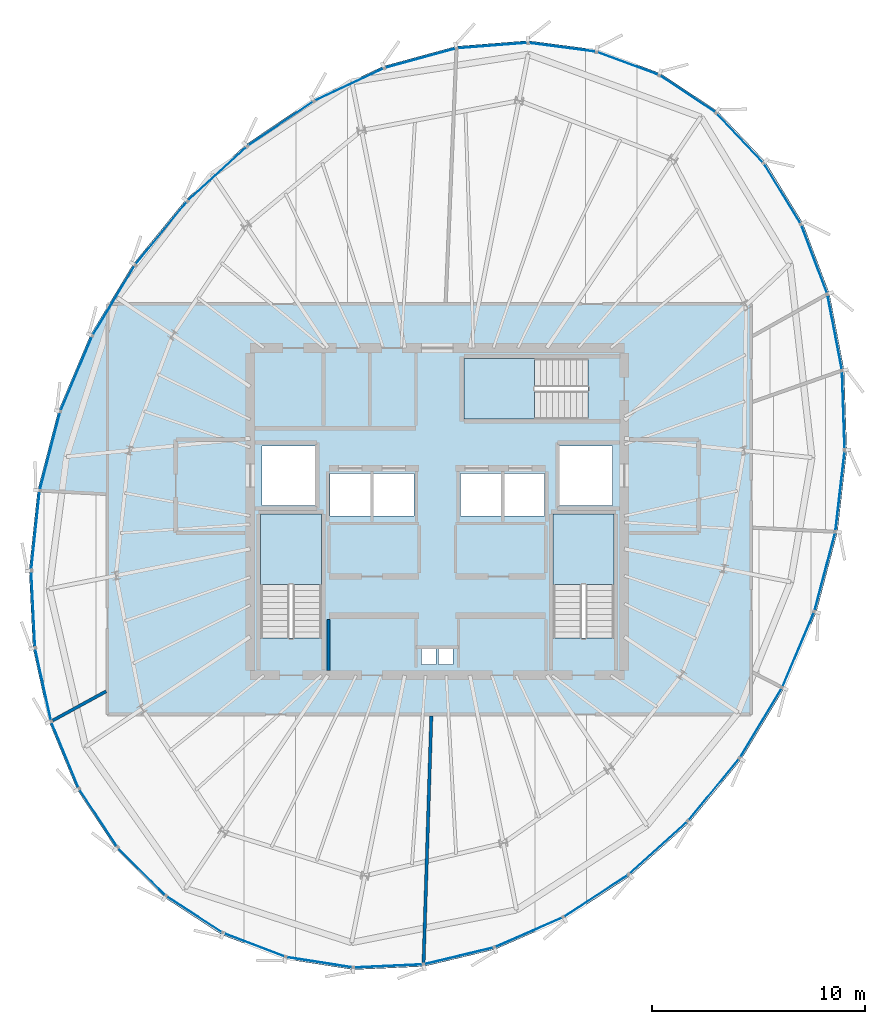
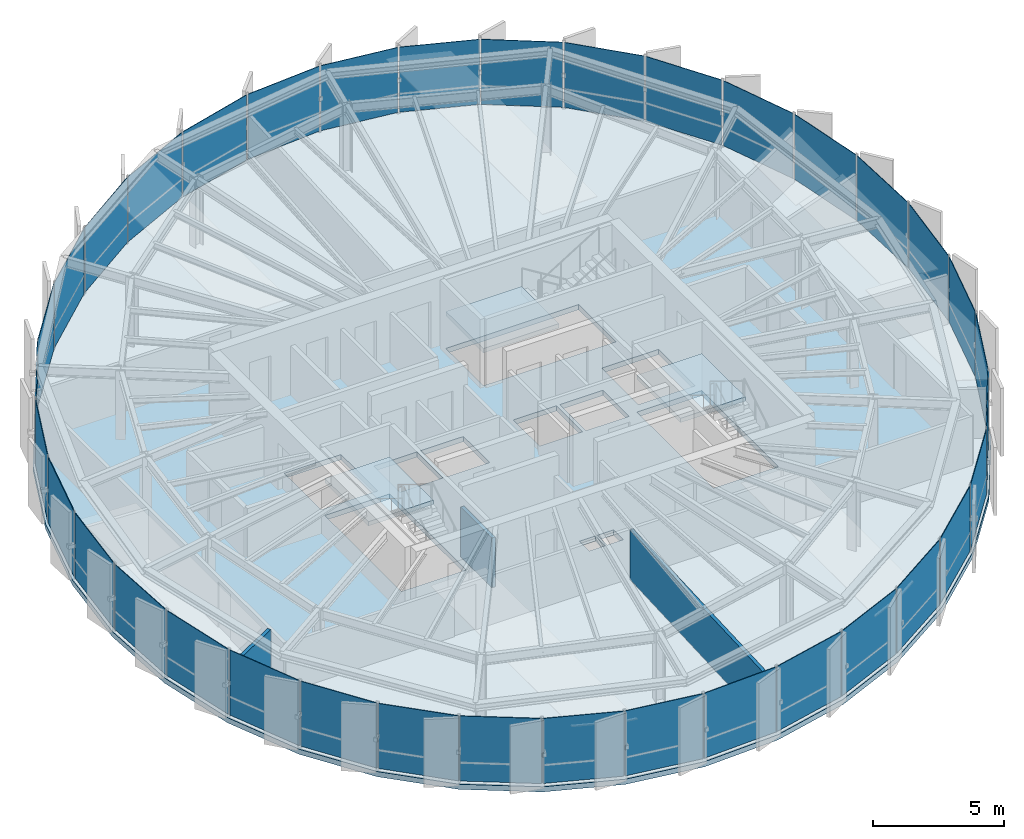
# One storey, part 24 of 31: 36 plates, 4 slabs, 3 walls, 9 elements without a shape of their own.
"""IFC4 building model written with IfcOpenShell, lengths in metres."""

from ifc_helpers import new_model, si_unit, direction, frame, frame_2d, origin, origin_2d, place, context, subcontext, project, spatial, polyline, rectangle, outline, extrude, source, transform, mapped, material, layer, layer_set, type_object, element, aggregate, save


model = new_model("IFC4")

# Units and contexts
model_context = context("Model", 3, precision=1e-05, world=origin(), true_north=direction((0.0, 1.0)))
body_context = subcontext(model_context, "Body", "Model", "MODEL_VIEW")
ifc_project = project(units=[si_unit("LENGTHUNIT", "METRE"), si_unit("AREAUNIT", "SQUARE_METRE"), si_unit("VOLUMEUNIT", "CUBIC_METRE"), si_unit("PLANEANGLEUNIT", "RADIAN"), si_unit("MASSUNIT", "GRAM", prefix="KILO"), si_unit("THERMODYNAMICTEMPERATUREUNIT", "KELVIN")], contexts=[model_context])

# Site, building, storey
site_placement = place(None, origin())
site = spatial("IfcSite", under=ifc_project, at=site_placement, CompositionType="ELEMENT")
building_placement = place(site_placement, origin())
building = spatial("IfcBuilding", under=site, at=building_placement, Name="Kethvar Cultural Tower", CompositionType="ELEMENT")
storey_placement = place(building_placement, frame((0.0, 0.0, 287.050048828125)))
storey = spatial("IfcBuildingStorey", under=building, at=storey_placement, Name="L76", CompositionType="ELEMENT", Elevation=287.050048828125)

# Stair, slab
ifc_material_1 = material(Name="Concrete C40/50", Category="concrete")
stair_type = type_object("IfcStairType", Name="ST-DOGLEG-135", PredefinedType="HALF_TURN_STAIR", material=ifc_material_1)
stair_1_placement = place(storey_placement, origin())
stair_1 = element("IfcStair", 1, at=stair_1_placement, inside=storey, type_object=stair_type, Name="L76 Core Exit Stair 1", PredefinedType="HALF_TURN_STAIR")
ifc_layer_1 = layer(ifc_material_1, 0.199951171875, Name="Concrete C40/50", Category="concrete")
ifc_layer_set_1 = layer_set([ifc_layer_1], Name="Concrete C40/50 (200 mm)")
slab_type_1 = type_object("IfcSlabType", Name="SL-STAIR-LANDING-200", PredefinedType="LANDING", material=ifc_layer_set_1)
slab_1_placement = place(storey_placement, frame((0.0, 0.0, 1.52490234375)))
slab_1 = element("IfcSlab", 2, at=slab_1_placement, type_object=slab_type_1, Name="ST-01 landing 1", PredefinedType="LANDING", context=body_context, shape_type="SweptSolid", body=[
    extrude(outline(polyline([(41.35009765625, 24.3701171875), (41.35009765625, 27.699951171875), (38.489990234375, 27.699951171875), (38.489990234375, 24.3701171875), (41.35009765625, 24.3701171875)])), origin(), (0.0, 0.0, 1.0), 0.199951171875),
])
aggregate(stair_1, [slab_1])

stair_2_placement = place(storey_placement, origin())
stair_2 = element("IfcStair", 3, at=stair_2_placement, inside=storey, type_object=stair_type, Name="L76 Core Exit Stair 2", PredefinedType="HALF_TURN_STAIR")
slab_2_placement = place(storey_placement, frame((0.0, 0.0, 1.52490234375)))
slab_2 = element("IfcSlab", 4, at=slab_2_placement, type_object=slab_type_1, Name="ST-02 landing 1", PredefinedType="LANDING", context=body_context, shape_type="SweptSolid", body=[
    extrude(outline(polyline([(55.110107421875, 24.3701171875), (55.110107421875, 27.699951171875), (52.25, 27.699951171875), (52.25, 24.3701171875), (55.110107421875, 24.3701171875)])), origin(), (0.0, 0.0, 1.0), 0.199951171875),
])
aggregate(stair_2, [slab_2])

stair_3_placement = place(storey_placement, origin())
stair_3 = element("IfcStair", 5, at=stair_3_placement, inside=storey, type_object=stair_type, Name="L76 Core Exit Stair 3", PredefinedType="HALF_TURN_STAIR")
slab_3_placement = place(storey_placement, frame((0.0, 0.0, 1.52490234375)))
slab_3 = element("IfcSlab", 6, at=slab_3_placement, type_object=slab_type_1, Name="ST-03 landing 1", PredefinedType="LANDING", context=body_context, shape_type="SweptSolid", body=[
    extrude(outline(polyline([(51.3798828125, 35.010009765625), (48.050048828125, 35.010009765625), (48.050048828125, 32.14990234375), (51.3798828125, 32.14990234375), (51.3798828125, 35.010009765625)])), origin(), (0.0, 0.0, 1.0), 0.199951171875),
])
aggregate(stair_3, [slab_3])

# Slab
ifc_layer_2 = layer(ifc_material_1, 0.239990234375, Name="Concrete C40/50", Category="concrete")
ifc_layer_set_2 = layer_set([ifc_layer_2], Name="Concrete C40/50 (240 mm)")
slab_type_2 = type_object("IfcSlabType", Name="SL-TOW-240", PredefinedType="FLOOR", material=ifc_layer_set_2)
slab_4_placement = place(storey_placement, frame((0.0, 0.0, -0.239990234375)))
element("IfcSlab", 7, at=slab_4_placement, inside=storey, type_object=slab_type_2, Name="L76 Structural Floor Slab", PredefinedType="FLOOR", context=body_context, shape_type="SweptSolid", body=[
    extrude(outline(polyline([(57.304931640625, 48.417236328125), (54.3037109375, 49.53173828125), (51.060302734375, 49.957763671875), (47.677978515625, 49.692138671875), (44.26708984375, 48.7578125), (40.939697265625, 47.19921875), (37.80419921875, 45.078369140625), (34.96044921875, 42.468994140625), (32.49658203125, 39.452880859375), (30.48291015625, 36.114013671875), (28.9697265625, 32.53125), (27.998291015625, 28.804931640625), (27.59814453125, 25.0478515625), (27.781494140625, 21.37451171875), (28.54248046875, 17.896484375), (29.8583984375, 14.71923828125), (31.689208984375, 11.939697265625), (33.97900390625, 9.6416015625), (36.658203125, 7.8955078125), (39.645751953125, 6.75439453125), (42.8505859375, 6.25244140625), (46.175537109375, 6.4052734375), (49.519287109375, 7.208251953125), (52.780517578125, 8.636962890625), (55.860107421875, 10.647705078125), (58.664306640625, 13.1796875), (61.108154296875, 16.156005859375), (63.1171875, 19.486083984375), (64.635009765625, 23.07763671875), (65.626708984375, 26.843994140625), (66.066162109375, 30.677978515625), (65.93896484375, 34.46142578125), (65.243896484375, 38.069580078125), (63.9951171875, 41.378173828125), (62.2216796875, 44.2705078125), (59.970703125, 46.644287109375), (57.304931640625, 48.417236328125)]), holes=[polyline([(38.489990234375, 21.85009765625), (38.489990234375, 27.699951171875), (41.35009765625, 27.699951171875), (41.35009765625, 21.85009765625), (38.489990234375, 21.85009765625)]), polyline([(52.25, 21.85009765625), (52.25, 27.699951171875), (55.110107421875, 27.699951171875), (55.110107421875, 21.85009765625), (52.25, 21.85009765625)]), polyline([(53.89990234375, 32.14990234375), (48.050048828125, 32.14990234375), (48.050048828125, 35.010009765625), (53.89990234375, 35.010009765625), (53.89990234375, 32.14990234375)]), polyline([(41.75, 29.60009765625), (43.64990234375, 29.60009765625), (43.64990234375, 27.60009765625), (41.75, 27.60009765625), (41.75, 29.60009765625)]), polyline([(43.800048828125, 29.60009765625), (45.699951171875, 29.60009765625), (45.699951171875, 27.60009765625), (43.800048828125, 27.60009765625), (43.800048828125, 29.60009765625)]), polyline([(47.89990234375, 29.60009765625), (49.800048828125, 29.60009765625), (49.800048828125, 27.60009765625), (47.89990234375, 27.60009765625), (47.89990234375, 29.60009765625)]), polyline([(49.949951171875, 29.60009765625), (51.85009765625, 29.60009765625), (51.85009765625, 27.60009765625), (49.949951171875, 27.60009765625), (49.949951171875, 29.60009765625)]), polyline([(38.550048828125, 30.89990234375), (41.050048828125, 30.89990234375), (41.050048828125, 28.10009765625), (38.550048828125, 28.10009765625), (38.550048828125, 30.89990234375)]), polyline([(52.550048828125, 30.89990234375), (55.050048828125, 30.89990234375), (55.050048828125, 28.10009765625), (52.550048828125, 28.10009765625), (52.550048828125, 30.89990234375)]), polyline([(46.050048828125, 21.35009765625), (46.75, 21.35009765625), (46.75, 20.60009765625), (46.050048828125, 20.60009765625), (46.050048828125, 21.35009765625)]), polyline([(46.85009765625, 21.35009765625), (47.550048828125, 21.35009765625), (47.550048828125, 20.60009765625), (46.85009765625, 20.60009765625), (46.85009765625, 21.35009765625)])]), origin(), (0.0, 0.0, 1.0), 0.239990234375),
])

# Curtain wall, plate
ifc_material_2 = material(Name="Aluminium 6063-T6", Category="aluminium")
ifc_layer_3 = layer(ifc_material_2, 0.179931640625, Name="Aluminium 6063-T6", Category="aluminium")
ifc_layer_set_3 = layer_set([ifc_layer_3], Name="Aluminium 6063-T6 (180 mm)")
curtain_wall_type = type_object("IfcCurtainWallType", Name="CW-SYS-05-Z56", PredefinedType="NOTDEFINED", material=ifc_layer_set_3)
curtain_wall_1_placement = place(storey_placement, origin())
curtain_wall_1 = element("IfcCurtainWall", 8, at=curtain_wall_1_placement, inside=storey, type_object=curtain_wall_type, Name="L76 Curtain Wall Run 03", PredefinedType="NOTDEFINED")
ifc_material_3 = material(Name="Insulated Low-E Solar Glass", Category="glass")
ifc_layer_4 = layer(ifc_material_3, 0.028076171875, Name="Insulated Low-E Solar Glass", Category="glass")
ifc_layer_set_4 = layer_set([ifc_layer_4], Name="Insulated Low-E Solar Glass (28 mm)")
plate_type = type_object("IfcPlateType", Name="CW-SYS-05-Z56-PNL", PredefinedType="CURTAIN_PANEL", material=ifc_layer_set_4)
shared_shape_1 = source(origin(), body_context, "Body", "SweptSolid", [
    extrude(rectangle(XDim=3.481201171875, YDim=0.028076171875, at=origin_2d()), origin(), (0.0, 0.0, 1.0), 3.030029296875),
])
plate_1_placement = place(storey_placement, frame((28.259765625, 19.656982421875, 0.08984375), z_axis=(0.0, 0.0, 1.0), x_axis=(0.213763590688, -0.976885421785, 0.0)))
plate_1 = element("IfcPlate", 9, at=plate_1_placement, type_object=plate_type, Name="CW-L76-R03 Vision Glazing Panel 2", PredefinedType="CURTAIN_PANEL", context=body_context, shape_type="MappedRepresentation", body=[
    mapped(shared_shape_1, transform((0.0, 0.0, 0.0), scale=1.0)),
])

curtain_wall_2_placement = place(storey_placement, origin())
curtain_wall_2 = element("IfcCurtainWall", 10, at=curtain_wall_2_placement, inside=storey, type_object=curtain_wall_type, Name="L76 Curtain Wall Run 04", PredefinedType="NOTDEFINED")
plate_2_placement = place(storey_placement, frame((51.10986328125, 8.01416015625, 0.08984375), z_axis=(0.0, 0.0, 1.0), x_axis=(0.915970997042, 0.401244479811, 0.0)))
plate_2 = element("IfcPlate", 11, at=plate_2_placement, type_object=plate_type, Name="CW-L76-R04 Vision Glazing Panel 5", PredefinedType="CURTAIN_PANEL", context=body_context, shape_type="MappedRepresentation", body=[
    mapped(shared_shape_1, transform((0.0, 0.0, 0.0), scale=1.0)),
])

curtain_wall_3_placement = place(storey_placement, origin())
curtain_wall_3 = element("IfcCurtainWall", 12, at=curtain_wall_3_placement, inside=storey, type_object=curtain_wall_type, Name="L76 Curtain Wall Run 02", PredefinedType="NOTDEFINED")
shared_shape_2 = source(origin(), body_context, "Body", "SweptSolid", [
    extrude(rectangle(XDim=3.771728515625, YDim=0.028076171875, at=origin_2d()), origin(), (0.0, 0.0, 1.0), 3.030029296875),
])
plate_3_placement = place(storey_placement, frame((28.580810546875, 30.642822265625, 0.08984375), z_axis=(0.0, 0.0, 1.0), x_axis=(-0.25225514042, -0.967660758805, 0.0)))
plate_3 = element("IfcPlate", 13, at=plate_3_placement, type_object=plate_type, Name="CW-L76-R02 Vision Glazing Panel 5", PredefinedType="CURTAIN_PANEL", context=body_context, shape_type="MappedRepresentation", body=[
    mapped(shared_shape_2, transform((0.0, 0.0, 0.0), scale=1.0)),
])

curtain_wall_4_placement = place(storey_placement, origin())
curtain_wall_4 = element("IfcCurtainWall", 14, at=curtain_wall_4_placement, inside=storey, type_object=curtain_wall_type, Name="L76 Curtain Wall Run 05", PredefinedType="NOTDEFINED")
plate_4_placement = place(storey_placement, frame((59.808837890625, 14.731201171875, 0.08984375), z_axis=(0.0, 0.0, 1.0), x_axis=(0.634568658341, 0.772866494196, 0.0)))
plate_4 = element("IfcPlate", 15, at=plate_4_placement, type_object=plate_type, Name="CW-L76-R05 Vision Glazing Panel 2", PredefinedType="CURTAIN_PANEL", context=body_context, shape_type="MappedRepresentation", body=[
    mapped(shared_shape_2, transform((0.0, 0.0, 0.0), scale=1.0)),
])

curtain_wall_5_placement = place(storey_placement, origin())
curtain_wall_5 = element("IfcCurtainWall", 16, at=curtain_wall_5_placement, inside=storey, type_object=curtain_wall_type, Name="L76 Curtain Wall Run 01", PredefinedType="NOTDEFINED")
shared_shape_3 = source(origin(), body_context, "Body", "SweptSolid", [
    extrude(rectangle(XDim=3.706298828125, YDim=0.028076171875, at=origin_2d()), origin(), (0.0, 0.0, 1.0), 3.030029296875),
])
plate_5_placement = place(storey_placement, frame((39.427978515625, 46.055908203125, 0.08984375), z_axis=(0.0, 0.0, 1.0), x_axis=(-0.828304880698, -0.560277631725, 0.0)))
plate_5 = element("IfcPlate", 17, at=plate_5_placement, type_object=plate_type, Name="CW-L76-R01 Vision Glazing Panel 6", PredefinedType="CURTAIN_PANEL", context=body_context, shape_type="MappedRepresentation", body=[
    mapped(shared_shape_3, transform((0.0, 0.0, 0.0), scale=1.0)),
])

curtain_wall_6_placement = place(storey_placement, origin())
curtain_wall_6 = element("IfcCurtainWall", 18, at=curtain_wall_6_placement, inside=storey, type_object=curtain_wall_type, Name="L76 Curtain Wall Run 06", PredefinedType="NOTDEFINED")
plate_6_placement = place(storey_placement, frame((65.902587890625, 32.56640625, 0.08984375), z_axis=(0.0, 0.0, 1.0), x_axis=(-0.033608711081, 0.999435067695, 0.0)))
plate_6 = element("IfcPlate", 19, at=plate_6_placement, type_object=plate_type, Name="CW-L76-R06 Vision Glazing Panel 1", PredefinedType="CURTAIN_PANEL", context=body_context, shape_type="MappedRepresentation", body=[
    mapped(shared_shape_3, transform((0.0, 0.0, 0.0), scale=1.0)),
])

# Plate
shared_shape_4 = source(origin(), body_context, "Body", "SweptSolid", [
    extrude(rectangle(XDim=3.122314453125, YDim=0.028076171875, at=origin_2d()), origin(), (0.0, 0.0, 1.0), 3.030029296875),
])
plate_7_placement = place(storey_placement, frame((55.76953125, 48.880615234375, 0.08984375), z_axis=(0.0, 0.0, 1.0), x_axis=(-0.937446146124, 0.348130324903, 0.0)))
plate_7 = element("IfcPlate", 20, at=plate_7_placement, type_object=plate_type, Name="CW-L76-R01 Vision Glazing Panel 1", PredefinedType="CURTAIN_PANEL", context=body_context, shape_type="MappedRepresentation", body=[
    mapped(shared_shape_4, transform((0.0, 0.0, 0.0), scale=1.0)),
])

plate_8_placement = place(storey_placement, frame((58.58251953125, 47.447509765625, 0.08984375), z_axis=(0.0, 0.0, 1.0), x_axis=(-0.832660368614, 0.553783992672, 0.0)))
plate_8 = element("IfcPlate", 21, at=plate_8_placement, type_object=plate_type, Name="CW-L76-R06 Vision Glazing Panel 6", PredefinedType="CURTAIN_PANEL", context=body_context, shape_type="MappedRepresentation", body=[
    mapped(shared_shape_4, transform((0.0, 0.0, 0.0), scale=1.0)),
])

shared_shape_5 = source(origin(), body_context, "Body", "SweptSolid", [
    extrude(rectangle(XDim=3.192138671875, YDim=0.028076171875, at=origin_2d()), origin(), (0.0, 0.0, 1.0), 3.030029296875),
])
plate_9_placement = place(storey_placement, frame((52.6689453125, 49.6455078125, 0.08984375), z_axis=(0.0, 0.0, 1.0), x_axis=(-0.99148581846, 0.130214714195, 0.0)))
plate_9 = element("IfcPlate", 22, at=plate_9_placement, type_object=plate_type, Name="CW-L76-R01 Vision Glazing Panel 2", PredefinedType="CURTAIN_PANEL", context=body_context, shape_type="MappedRepresentation", body=[
    mapped(shared_shape_5, transform((0.0, 0.0, 0.0), scale=1.0)),
])

plate_10_placement = place(storey_placement, frame((61.023681640625, 45.388671875, 0.08984375), z_axis=(0.0, 0.0, 1.0), x_axis=(-0.688113994599, 0.725602598146, 0.0)))
plate_10 = element("IfcPlate", 23, at=plate_10_placement, type_object=plate_type, Name="CW-L76-R06 Vision Glazing Panel 5", PredefinedType="CURTAIN_PANEL", context=body_context, shape_type="MappedRepresentation", body=[
    mapped(shared_shape_5, transform((0.0, 0.0, 0.0), scale=1.0)),
])

shared_shape_6 = source(origin(), body_context, "Body", "SweptSolid", [
    extrude(rectangle(XDim=3.3134765625, YDim=0.028076171875, at=origin_2d()), origin(), (0.0, 0.0, 1.0), 3.030029296875),
])
plate_11_placement = place(storey_placement, frame((49.376953125, 49.725341796875, 0.08984375), z_axis=(0.0, 0.0, 1.0), x_axis=(-0.996933744303, -0.07825030013, 0.0)))
plate_11 = element("IfcPlate", 24, at=plate_11_placement, type_object=plate_type, Name="CW-L76-R01 Vision Glazing Panel 3", PredefinedType="CURTAIN_PANEL", context=body_context, shape_type="MappedRepresentation", body=[
    mapped(shared_shape_6, transform((0.0, 0.0, 0.0), scale=1.0)),
])

plate_12_placement = place(storey_placement, frame((63.023193359375, 42.772216796875, 0.08984375), z_axis=(0.0, 0.0, 1.0), x_axis=(-0.522677129793, 0.852530713811, 0.0)))
plate_12 = element("IfcPlate", 25, at=plate_12_placement, type_object=plate_type, Name="CW-L76-R06 Vision Glazing Panel 4", PredefinedType="CURTAIN_PANEL", context=body_context, shape_type="MappedRepresentation", body=[
    mapped(shared_shape_6, transform((0.0, 0.0, 0.0), scale=1.0)),
])

shared_shape_7 = source(origin(), body_context, "Body", "SweptSolid", [
    extrude(rectangle(XDim=3.457275390625, YDim=0.028076171875, at=origin_2d()), origin(), (0.0, 0.0, 1.0), 3.030029296875),
])
plate_13_placement = place(storey_placement, frame((45.9990234375, 49.12841796875, 0.08984375), z_axis=(0.0, 0.0, 1.0), x_axis=(-0.964465250625, -0.264209727938, 0.0)))
plate_13 = element("IfcPlate", 26, at=plate_13_placement, type_object=plate_type, Name="CW-L76-R01 Vision Glazing Panel 4", PredefinedType="CURTAIN_PANEL", context=body_context, shape_type="MappedRepresentation", body=[
    mapped(shared_shape_7, transform((0.0, 0.0, 0.0), scale=1.0)),
])

plate_14_placement = place(storey_placement, frame((64.52587890625, 39.6884765625, 0.08984375), z_axis=(0.0, 0.0, 1.0), x_axis=(-0.353148290685, 0.935567359834, 0.0)))
plate_14 = element("IfcPlate", 27, at=plate_14_placement, type_object=plate_type, Name="CW-L76-R06 Vision Glazing Panel 3", PredefinedType="CURTAIN_PANEL", context=body_context, shape_type="MappedRepresentation", body=[
    mapped(shared_shape_7, transform((0.0, 0.0, 0.0), scale=1.0)),
])

shared_shape_8 = source(origin(), body_context, "Body", "SweptSolid", [
    extrude(rectangle(XDim=3.59521484375, YDim=0.028076171875, at=origin_2d()), origin(), (0.0, 0.0, 1.0), 3.030029296875),
])
plate_15_placement = place(storey_placement, frame((42.64599609375, 47.887939453125, 0.08984375), z_axis=(0.0, 0.0, 1.0), x_axis=(-0.9055910088, -0.424152006692, 0.0)))
plate_15 = element("IfcPlate", 28, at=plate_15_placement, type_object=plate_type, Name="CW-L76-R01 Vision Glazing Panel 5", PredefinedType="CURTAIN_PANEL", context=body_context, shape_type="MappedRepresentation", body=[
    mapped(shared_shape_8, transform((0.0, 0.0, 0.0), scale=1.0)),
])

aggregate(curtain_wall_5, [plate_7, plate_9, plate_11, plate_13, plate_15, plate_5])

plate_16_placement = place(storey_placement, frame((65.493408203125, 36.24658203125, 0.08984375), z_axis=(0.0, 0.0, 1.0), x_axis=(-0.189112581374, 0.981955412209, 0.0)))
plate_16 = element("IfcPlate", 29, at=plate_16_placement, type_object=plate_type, Name="CW-L76-R06 Vision Glazing Panel 2", PredefinedType="CURTAIN_PANEL", context=body_context, shape_type="MappedRepresentation", body=[
    mapped(shared_shape_8, transform((0.0, 0.0, 0.0), scale=1.0)),
])

aggregate(curtain_wall_6, [plate_6, plate_16, plate_14, plate_12, plate_10, plate_8])

shared_shape_9 = source(origin(), body_context, "Body", "SweptSolid", [
    extrude(rectangle(XDim=3.780029296875, YDim=0.028076171875, at=origin_2d()), origin(), (0.0, 0.0, 1.0), 3.030029296875),
])
plate_17_placement = place(storey_placement, frame((36.449951171875, 43.699951171875, 0.08984375), z_axis=(0.0, 0.0, 1.0), x_axis=(-0.736805506238, -0.676104759618, 0.0)))
plate_17 = element("IfcPlate", 30, at=plate_17_placement, type_object=plate_type, Name="CW-L76-R02 Vision Glazing Panel 1", PredefinedType="CURTAIN_PANEL", context=body_context, shape_type="MappedRepresentation", body=[
    mapped(shared_shape_9, transform((0.0, 0.0, 0.0), scale=1.0)),
])

plate_18_placement = place(storey_placement, frame((65.7470703125, 28.772216796875, 0.08984375), z_axis=(0.0, 0.0, 1.0), x_axis=(0.1138794904, 0.993494570527, 0.0)))
plate_18 = element("IfcPlate", 31, at=plate_18_placement, type_object=plate_type, Name="CW-L76-R05 Vision Glazing Panel 6", PredefinedType="CURTAIN_PANEL", context=body_context, shape_type="MappedRepresentation", body=[
    mapped(shared_shape_9, transform((0.0, 0.0, 0.0), scale=1.0)),
])

shared_shape_10 = source(origin(), body_context, "Body", "SweptSolid", [
    extrude(rectangle(XDim=3.8154296875, YDim=0.028076171875, at=origin_2d()), origin(), (0.0, 0.0, 1.0), 3.030029296875),
])
plate_19_placement = place(storey_placement, frame((33.805908203125, 40.897705078125, 0.08984375), z_axis=(0.0, 0.0, 1.0), x_axis=(-0.632678296774, -0.774414729193, 0.0)))
plate_19 = element("IfcPlate", 32, at=plate_19_placement, type_object=plate_type, Name="CW-L76-R02 Vision Glazing Panel 2", PredefinedType="CURTAIN_PANEL", context=body_context, shape_type="MappedRepresentation", body=[
    mapped(shared_shape_10, transform((0.0, 0.0, 0.0), scale=1.0)),
])

plate_20_placement = place(storey_placement, frame((65.0341796875, 24.986083984375, 0.08984375), z_axis=(0.0, 0.0, 1.0), x_axis=(0.254635704322, 0.96703705104, 0.0)))
plate_20 = element("IfcPlate", 33, at=plate_20_placement, type_object=plate_type, Name="CW-L76-R05 Vision Glazing Panel 5", PredefinedType="CURTAIN_PANEL", context=body_context, shape_type="MappedRepresentation", body=[
    mapped(shared_shape_10, transform((0.0, 0.0, 0.0), scale=1.0)),
])

shared_shape_11 = source(origin(), body_context, "Body", "SweptSolid", [
    extrude(rectangle(XDim=3.81982421875, YDim=0.028076171875, at=origin_2d()), origin(), (0.0, 0.0, 1.0), 3.030029296875),
])
plate_21_placement = place(storey_placement, frame((31.575439453125, 37.73193359375, 0.08984375), z_axis=(0.0, 0.0, 1.0), x_axis=(-0.516413766393, -0.856339197912, 0.0)))
plate_21 = element("IfcPlate", 34, at=plate_21_placement, type_object=plate_type, Name="CW-L76-R02 Vision Glazing Panel 3", PredefinedType="CURTAIN_PANEL", context=body_context, shape_type="MappedRepresentation", body=[
    mapped(shared_shape_11, transform((0.0, 0.0, 0.0), scale=1.0)),
])

plate_22_placement = place(storey_placement, frame((63.783935546875, 21.32080078125, 0.08984375), z_axis=(0.0, 0.0, 1.0), x_axis=(0.389268644804, 0.921124270754, 0.0)))
plate_22 = element("IfcPlate", 35, at=plate_22_placement, type_object=plate_type, Name="CW-L76-R05 Vision Glazing Panel 4", PredefinedType="CURTAIN_PANEL", context=body_context, shape_type="MappedRepresentation", body=[
    mapped(shared_shape_11, transform((0.0, 0.0, 0.0), scale=1.0)),
])

shared_shape_12 = source(origin(), body_context, "Body", "SweptSolid", [
    extrude(rectangle(XDim=3.809814453125, YDim=0.028076171875, at=origin_2d()), origin(), (0.0, 0.0, 1.0), 3.030029296875),
])
plate_23_placement = place(storey_placement, frame((29.818359375, 34.28369140625, 0.08984375), z_axis=(0.0, 0.0, 1.0), x_axis=(-0.389075716452, -0.921205778785, 0.0)))
plate_23 = element("IfcPlate", 36, at=plate_23_placement, type_object=plate_type, Name="CW-L76-R02 Vision Glazing Panel 4", PredefinedType="CURTAIN_PANEL", context=body_context, shape_type="MappedRepresentation", body=[
    mapped(shared_shape_12, transform((0.0, 0.0, 0.0), scale=1.0)),
])

plate_24_placement = place(storey_placement, frame((62.02685546875, 17.872802734375, 0.08984375), z_axis=(0.0, 0.0, 1.0), x_axis=(0.516578162198, 0.856240037805, 0.0)))
plate_24 = element("IfcPlate", 37, at=plate_24_placement, type_object=plate_type, Name="CW-L76-R05 Vision Glazing Panel 3", PredefinedType="CURTAIN_PANEL", context=body_context, shape_type="MappedRepresentation", body=[
    mapped(shared_shape_12, transform((0.0, 0.0, 0.0), scale=1.0)),
])

shared_shape_13 = source(origin(), body_context, "Body", "SweptSolid", [
    extrude(rectangle(XDim=3.698974609375, YDim=0.028076171875, at=origin_2d()), origin(), (0.0, 0.0, 1.0), 3.030029296875),
])
plate_25_placement = place(storey_placement, frame((27.897705078125, 26.915771484375, 0.08984375), z_axis=(0.0, 0.0, 1.0), x_axis=(-0.105916975449, -0.994374976712, 0.0)))
plate_25 = element("IfcPlate", 38, at=plate_25_placement, type_object=plate_type, Name="CW-L76-R02 Vision Glazing Panel 6", PredefinedType="CURTAIN_PANEL", context=body_context, shape_type="MappedRepresentation", body=[
    mapped(shared_shape_13, transform((0.0, 0.0, 0.0), scale=1.0)),
])

aggregate(curtain_wall_3, [plate_17, plate_19, plate_21, plate_23, plate_3, plate_25])

plate_26_placement = place(storey_placement, frame((57.1953125, 11.98779296875, 0.08984375), z_axis=(0.0, 0.0, 1.0), x_axis=(0.742221515323, 0.670154625584, 0.0)))
plate_26 = element("IfcPlate", 39, at=plate_26_placement, type_object=plate_type, Name="CW-L76-R05 Vision Glazing Panel 1", PredefinedType="CURTAIN_PANEL", context=body_context, shape_type="MappedRepresentation", body=[
    mapped(shared_shape_13, transform((0.0, 0.0, 0.0), scale=1.0)),
])

aggregate(curtain_wall_4, [plate_26, plate_4, plate_24, plate_22, plate_20, plate_18])

shared_shape_14 = source(origin(), body_context, "Body", "SweptSolid", [
    extrude(rectangle(XDim=3.5986328125, YDim=0.028076171875, at=origin_2d()), origin(), (0.0, 0.0, 1.0), 3.030029296875),
])
plate_27_placement = place(storey_placement, frame((27.78955078125, 23.21630859375, 0.08984375), z_axis=(0.0, 0.0, 1.0), x_axis=(0.049843395432, -0.998757045498, 0.0)))
plate_27 = element("IfcPlate", 40, at=plate_27_placement, type_object=plate_type, Name="CW-L76-R03 Vision Glazing Panel 1", PredefinedType="CURTAIN_PANEL", context=body_context, shape_type="MappedRepresentation", body=[
    mapped(shared_shape_14, transform((0.0, 0.0, 0.0), scale=1.0)),
])

plate_28_placement = place(storey_placement, frame((54.265625, 9.72607421875, 0.08984375), z_axis=(0.0, 0.0, 1.0), x_axis=(0.837308635819, 0.546730508005, 0.0)))
plate_28 = element("IfcPlate", 41, at=plate_28_placement, type_object=plate_type, Name="CW-L76-R04 Vision Glazing Panel 6", PredefinedType="CURTAIN_PANEL", context=body_context, shape_type="MappedRepresentation", body=[
    mapped(shared_shape_14, transform((0.0, 0.0, 0.0), scale=1.0)),
])

shared_shape_15 = source(origin(), body_context, "Body", "SweptSolid", [
    extrude(rectangle(XDim=3.359619140625, YDim=0.028076171875, at=origin_2d()), origin(), (0.0, 0.0, 1.0), 3.030029296875),
])
plate_29_placement = place(storey_placement, frame((29.292724609375, 16.34619140625, 0.08984375), z_axis=(0.0, 0.0, 1.0), x_axis=(0.382651182652, -0.92389289012, 0.0)))
plate_29 = element("IfcPlate", 42, at=plate_29_placement, type_object=plate_type, Name="CW-L76-R03 Vision Glazing Panel 3", PredefinedType="CURTAIN_PANEL", context=body_context, shape_type="MappedRepresentation", body=[
    mapped(shared_shape_15, transform((0.0, 0.0, 0.0), scale=1.0)),
])

plate_30_placement = place(storey_placement, frame((47.82421875, 6.904052734375, 0.08984375), z_axis=(0.0, 0.0, 1.0), x_axis=(0.972357695894, 0.233496276706, 0.0)))
plate_30 = element("IfcPlate", 43, at=plate_30_placement, type_object=plate_type, Name="CW-L76-R04 Vision Glazing Panel 4", PredefinedType="CURTAIN_PANEL", context=body_context, shape_type="MappedRepresentation", body=[
    mapped(shared_shape_15, transform((0.0, 0.0, 0.0), scale=1.0)),
])

shared_shape_16 = source(origin(), body_context, "Body", "SweptSolid", [
    extrude(rectangle(XDim=3.2490234375, YDim=0.028076171875, at=origin_2d()), origin(), (0.0, 0.0, 1.0), 3.030029296875),
])
plate_31_placement = place(storey_placement, frame((30.857421875, 13.384521484375, 0.08984375), z_axis=(0.0, 0.0, 1.0), x_axis=(0.550028963371, -0.835145579796, 0.0)))
plate_31 = element("IfcPlate", 44, at=plate_31_placement, type_object=plate_type, Name="CW-L76-R03 Vision Glazing Panel 4", PredefinedType="CURTAIN_PANEL", context=body_context, shape_type="MappedRepresentation", body=[
    mapped(shared_shape_16, transform((0.0, 0.0, 0.0), scale=1.0)),
])

shared_shape_17 = source(origin(), body_context, "Body", "SweptSolid", [
    extrude(rectangle(XDim=3.164794921875, YDim=0.028076171875, at=origin_2d()), origin(), (0.0, 0.0, 1.0), 3.030029296875),
])
plate_32_placement = place(storey_placement, frame((32.90478515625, 10.861083984375, 0.08984375), z_axis=(0.0, 0.0, 1.0), x_axis=(0.705859207709, -0.7083521574, 0.0)))
plate_32 = element("IfcPlate", 45, at=plate_32_placement, type_object=plate_type, Name="CW-L76-R03 Vision Glazing Panel 5", PredefinedType="CURTAIN_PANEL", context=body_context, shape_type="MappedRepresentation", body=[
    mapped(shared_shape_17, transform((0.0, 0.0, 0.0), scale=1.0)),
])

plate_33_placement = place(storey_placement, frame((41.263671875, 6.602294921875, 0.08984375), z_axis=(0.0, 0.0, 1.0), x_axis=(0.987962565825, -0.154693143123, 0.0)))
plate_33 = element("IfcPlate", 46, at=plate_33_placement, type_object=plate_type, Name="CW-L76-R04 Vision Glazing Panel 2", PredefinedType="CURTAIN_PANEL", context=body_context, shape_type="MappedRepresentation", body=[
    mapped(shared_shape_17, transform((0.0, 0.0, 0.0), scale=1.0)),
])

shared_shape_18 = source(origin(), body_context, "Body", "SweptSolid", [
    extrude(rectangle(XDim=3.118896484375, YDim=0.028076171875, at=origin_2d()), origin(), (0.0, 0.0, 1.0), 3.030029296875),
])
plate_34_placement = place(storey_placement, frame((35.373046875, 8.8525390625, 0.08984375), z_axis=(0.0, 0.0, 1.0), x_axis=(0.837794958672, -0.545984988093, 0.0)))
plate_34 = element("IfcPlate", 47, at=plate_34_placement, type_object=plate_type, Name="CW-L76-R03 Vision Glazing Panel 6", PredefinedType="CURTAIN_PANEL", context=body_context, shape_type="MappedRepresentation", body=[
    mapped(shared_shape_18, transform((0.0, 0.0, 0.0), scale=1.0)),
])

aggregate(curtain_wall_1, [plate_27, plate_1, plate_29, plate_31, plate_32, plate_34])

plate_35_placement = place(storey_placement, frame((38.1875, 7.41845703125, 0.08984375), z_axis=(0.0, 0.0, 1.0), x_axis=(0.934154655194, -0.356868435394, 0.0)))
plate_35 = element("IfcPlate", 48, at=plate_35_placement, type_object=plate_type, Name="CW-L76-R04 Vision Glazing Panel 1", PredefinedType="CURTAIN_PANEL", context=body_context, shape_type="MappedRepresentation", body=[
    mapped(shared_shape_18, transform((0.0, 0.0, 0.0), scale=1.0)),
])

shared_shape_19 = source(origin(), body_context, "Body", "SweptSolid", [
    extrude(rectangle(XDim=3.249267578125, YDim=0.028076171875, at=origin_2d()), origin(), (0.0, 0.0, 1.0), 3.030029296875),
])
plate_36_placement = place(storey_placement, frame((44.508544921875, 6.4287109375, 0.08984375), z_axis=(0.0, 0.0, 1.0), x_axis=(0.998945879835, 0.045903476556, 0.0)))
plate_36 = element("IfcPlate", 49, at=plate_36_placement, type_object=plate_type, Name="CW-L76-R04 Vision Glazing Panel 3", PredefinedType="CURTAIN_PANEL", context=body_context, shape_type="MappedRepresentation", body=[
    mapped(shared_shape_19, transform((0.0, 0.0, 0.0), scale=1.0)),
])

aggregate(curtain_wall_2, [plate_35, plate_33, plate_36, plate_30, plate_2, plate_28])

# Walls
ifc_material_4 = material(Name="Gypsum Fireboard Partition")
ifc_layer_5 = layer(ifc_material_4, 0.14990234375, Name="Gypsum Fireboard Partition")
ifc_layer_set_5 = layer_set([ifc_layer_5], Name="Gypsum Fireboard Partition (150 mm)")
wall_type_1 = type_object("IfcWallType", Name="WL-FIRE-150", PredefinedType="PARTITIONING", material=ifc_layer_set_5)
wall_1_placement = place(storey_placement, frame((41.679931640625, 20.3349609375, 0.0), z_axis=(0.0, 0.0, 1.0), x_axis=(0.0, 1.0, 0.0)))
element("IfcWall", 50, at=wall_1_placement, inside=storey, type_object=wall_type_1, Name="L76 Reclaimed West Outer Wall", PredefinedType="PARTITIONING", context=body_context, shape_type="SweptSolid", body=[
    extrude(rectangle(XDim=2.39501953125, YDim=0.14990234375, at=frame_2d((1.197509765625, 0.0))), origin(), (0.0, 0.0, 1.0), 2.31494140625),
])
ifc_material_5 = material(Name="Gypsum Acoustic Partition")
ifc_layer_6 = layer(ifc_material_5, 0.14990234375, Name="Gypsum Acoustic Partition")
ifc_layer_set_6 = layer_set([ifc_layer_6], Name="Gypsum Acoustic Partition (150 mm)")
wall_type_2 = type_object("IfcWallType", Name="WL-PART-150", PredefinedType="PARTITIONING", material=ifc_layer_set_6)
wall_2_placement = place(storey_placement, frame((31.2197265625, 19.348388671875, 0.0), z_axis=(0.0, 0.0, 1.0), x_axis=(-0.877339651922, -0.479869914837, 0.0)))
element("IfcWall", 51, at=wall_2_placement, inside=storey, type_object=wall_type_2, Name="L76 Radial Partition Wall 01", PredefinedType="PARTITIONING", context=body_context, shape_type="SweptSolid", body=[
    extrude(rectangle(XDim=2.856201171875, YDim=0.14990234375, at=frame_2d((1.42822265625, 0.0))), origin(), (0.0, 0.0, 1.0), 2.31494140625),
])
wall_3_placement = place(storey_placement, frame((46.519287109375, 18.18896484375, 0.0), z_axis=(0.0, 0.0, 1.0), x_axis=(-0.031395702938, -0.99950703341, 0.0)))
element("IfcWall", 52, at=wall_3_placement, inside=storey, type_object=wall_type_2, Name="L76 Radial Partition Wall 02", PredefinedType="PARTITIONING", context=body_context, shape_type="SweptSolid", body=[
    extrude(rectangle(XDim=11.60205078125, YDim=0.14990234375, at=frame_2d((5.801025390625, 0.0))), origin(), (0.0, 0.0, 1.0), 2.31494140625),
])

save(model, "model.ifc")
